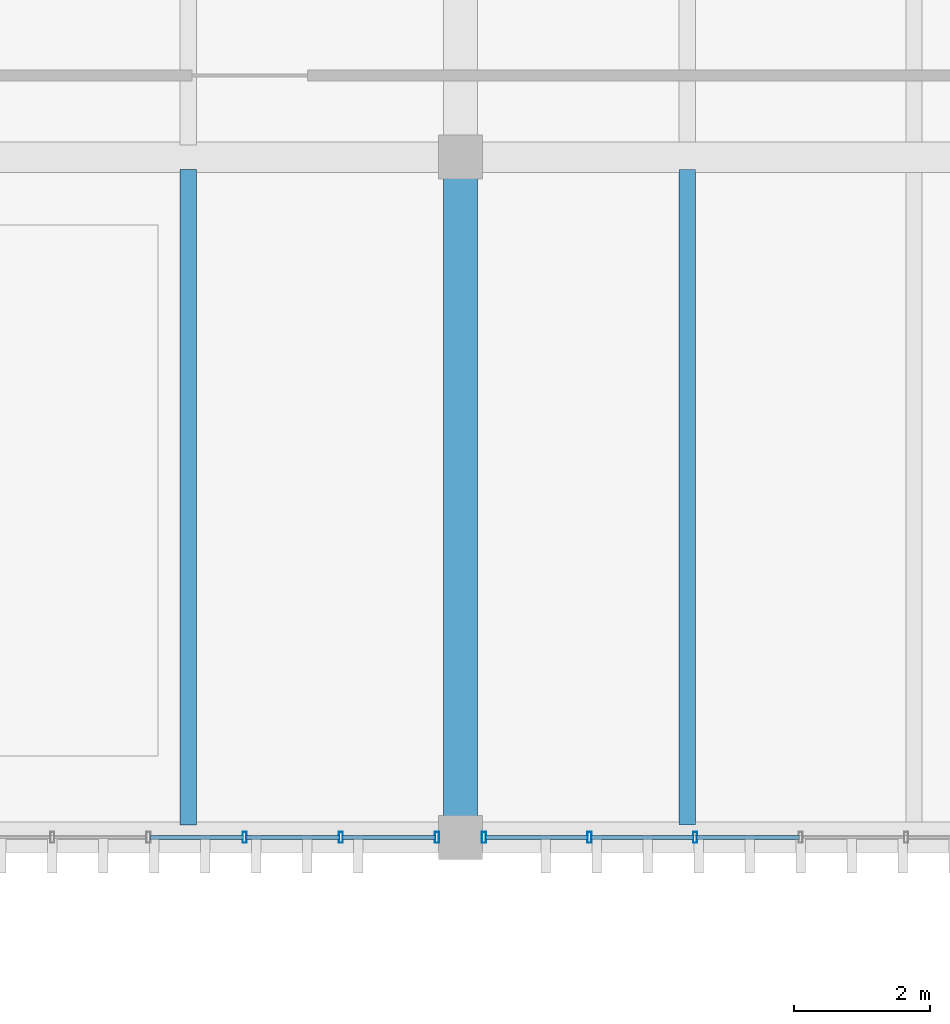
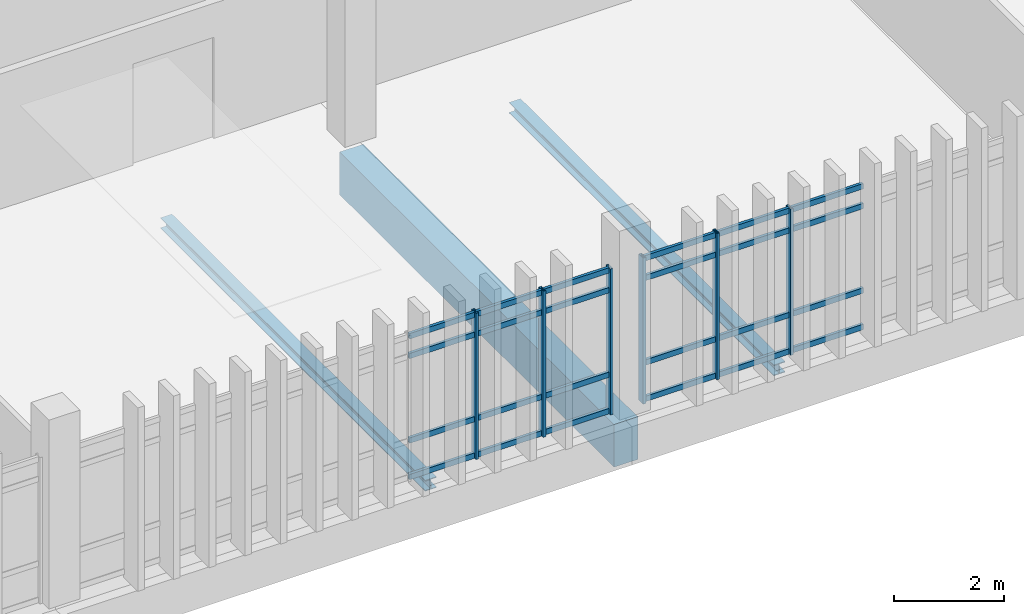
# One storey, part 21 of 82: 30 members, 3 beams, 2 elements without a shape of their own.
"""IFC4 building model written with IfcOpenShell, lengths in metres."""

import ifcopenshell
import ifcopenshell.guid

model = None  # the IFC model being written
_history = None  # IfcOwnerHistory: only IFC2X3 demands one
_inside = {}  # id of a spatial element -> (the spatial element, [elements in it])
_under = {}  # id of a project, library or spatial element -> (it, [spatial elements below it])
_declared = {}  # id of a project -> (the project, [libraries it declares])
_typed = {}  # id of a type object -> (the type object, [elements of that type])
_made_of = {}  # id of a material, layer set ... -> (it, [elements and type objects made of it])


def new_model(schema):
    """Start an empty IFC model of exactly this schema.

    Asked for "IFC4X3", IfcOpenShell would pick the latest addendum, in which some entities
    have other attributes; the version numbers below select the first issue.
    IFC2X3 requires an IfcOwnerHistory on every rooted entity: one is made here for all.
    """
    global model, _history
    if schema == "IFC4X3":
        model = ifcopenshell.file(schema_version=(4, 3, 0, 0))
    else:
        model = ifcopenshell.file(schema=schema)
    _inside.clear()
    _under.clear()
    _declared.clear()
    _typed.clear()
    _made_of.clear()
    _history = None
    if model.schema == "IFC2X3":
        org = make("IfcOrganization", Name="unknown")
        user = make(
            "IfcPersonAndOrganization",
            ThePerson=make("IfcPerson", FamilyName="unknown"),
            TheOrganization=org,
        )
        app = make(
            "IfcApplication",
            ApplicationDeveloper=org,
            Version="unknown",
            ApplicationFullName="unknown",
            ApplicationIdentifier="unknown",
        )
        _history = make(
            "IfcOwnerHistory",
            OwningUser=user,
            OwningApplication=app,
            ChangeAction="ADDED",
            CreationDate=0,
        )
    return model


def make(cls, **values):
    """One entity of the class cls with the attributes given. An attribute that is None is left unset."""
    return model.create_entity(
        cls, **{name: value for name, value in values.items() if value is not None}
    )


def rooted(cls, **values):
    """An entity with a GlobalId (a new one), such as an element, a storey or a relation."""
    return make(cls, GlobalId=ifcopenshell.guid.new(), OwnerHistory=_history, **values)


def si_unit(unit_type, name, prefix=None):
    """IfcSIUnit, for example si_unit("LENGTHUNIT", "METRE", prefix="MILLI")."""
    return make("IfcSIUnit", UnitType=unit_type, Prefix=prefix, Name=name)


def assignment(units):
    """IfcUnitAssignment: the units of a project."""
    return None if units is None else make("IfcUnitAssignment", Units=units)


def point(xyz):
    """IfcCartesianPoint."""
    return None if xyz is None else make("IfcCartesianPoint", Coordinates=xyz)


def direction(xyz):
    """IfcDirection."""
    return None if xyz is None else make("IfcDirection", DirectionRatios=xyz)


def frame(location, z_axis=None, x_axis=None):
    """IfcAxis2Placement3D, a coordinate frame: its origin and axes. An axis left out is left unset."""
    return make(
        "IfcAxis2Placement3D",
        Location=point(location),
        Axis=direction(z_axis),
        RefDirection=direction(x_axis),
    )


def frame_2d(location, x_axis=None):
    """IfcAxis2Placement2D, a coordinate frame in the plane: its origin and x axis."""
    return make(
        "IfcAxis2Placement2D", Location=point(location), RefDirection=direction(x_axis)
    )


def origin():
    """The frame at (0, 0, 0) with its axes left unset."""
    return frame((0.0, 0.0, 0.0))


def origin_2d():
    """The frame at (0, 0) in the plane with its x axis left unset."""
    return frame_2d((0.0, 0.0))


def place(relative_to, where):
    """IfcLocalPlacement: puts the frame where relative to a parent placement (None: the world)."""
    return make(
        "IfcLocalPlacement", PlacementRelTo=relative_to, RelativePlacement=where
    )


def context(
    kind, dimensions, precision=None, world=None, true_north=None, identifier=None
):
    """IfcGeometricRepresentationContext, for example the 3D "Model" context."""
    return make(
        "IfcGeometricRepresentationContext",
        ContextIdentifier=identifier,
        ContextType=kind,
        CoordinateSpaceDimension=dimensions,
        Precision=precision,
        WorldCoordinateSystem=world,
        TrueNorth=true_north,
    )


def subcontext(parent, identifier, kind, view, scale=None):
    """IfcGeometricRepresentationSubContext, for example "Body" below "Model"."""
    return make(
        "IfcGeometricRepresentationSubContext",
        ContextIdentifier=identifier,
        ContextType=kind,
        ParentContext=parent,
        TargetScale=scale,
        TargetView=view,
    )


def project(units=None, contexts=None):
    """IfcProject with its units and contexts."""
    return rooted(
        "IfcProject",
        Name="project",
        RepresentationContexts=contexts,
        UnitsInContext=assignment(units),
    )


def spatial(cls, under=None, at=None, **own):
    """A site, building, storey or space (cls), placed at a placement, below another one or the project."""
    s = rooted(cls, ObjectPlacement=at, **own)
    if under is not None:
        _under.setdefault(under.id(), (under, []))[1].append(s)
    return s


def profile(cls, at=None, kind="AREA", **sizes):
    """A parametric profile (cls). Its sizes go by their IFC names, for example OverallWidth=200.0."""
    return make(cls, ProfileType=kind, Position=at, **sizes)


def rectangle(**sizes):
    """IfcRectangleProfileDef."""
    return profile("IfcRectangleProfileDef", **sizes)


def hollow_rectangle(**sizes):
    """IfcRectangleHollowProfileDef."""
    return profile("IfcRectangleHollowProfileDef", **sizes)


def i_section(**sizes):
    """IfcIShapeProfileDef."""
    return profile("IfcIShapeProfileDef", **sizes)


def extrude(swept, where, along, depth):
    """IfcExtrudedAreaSolid: the profile swept, set in the frame where, extruded along a direction by depth."""
    return make(
        "IfcExtrudedAreaSolid",
        SweptArea=swept,
        Position=where,
        ExtrudedDirection=direction(along),
        Depth=depth,
    )


def shape(context_of_items, identifier, shape_type, items):
    """IfcShapeRepresentation: the items that make up one representation, for example the "Body"."""
    return make(
        "IfcShapeRepresentation",
        ContextOfItems=context_of_items,
        RepresentationIdentifier=identifier,
        RepresentationType=shape_type,
        Items=items,
    )


def material(Name=None, Category=None):
    """IfcMaterial."""
    return make("IfcMaterial", Name=Name, Category=Category)


def layer(
    of_material, thickness, ventilated=None, Name=None, Category=None, Priority=None
):
    """IfcMaterialLayer: one layer of a wall or slab, of a material (None: an air gap)."""
    return make(
        "IfcMaterialLayer",
        Material=of_material,
        LayerThickness=thickness,
        IsVentilated=ventilated,
        Name=Name,
        Category=Category,
        Priority=Priority,
    )


def layer_set(layers, Name=None):
    """IfcMaterialLayerSet."""
    return make("IfcMaterialLayerSet", MaterialLayers=layers, LayerSetName=Name)


def material_profile(
    of_material, cross_section, Name=None, Category=None, Priority=None
):
    """IfcMaterialProfile: a cross section and its material."""
    return make(
        "IfcMaterialProfile",
        Name=Name,
        Material=of_material,
        Profile=cross_section,
        Priority=Priority,
        Category=Category,
    )


def profile_set(profiles, Name=None, composite=None):
    """IfcMaterialProfileSet."""
    return make(
        "IfcMaterialProfileSet",
        Name=Name,
        MaterialProfiles=profiles,
        CompositeProfile=composite,
    )


def made_of(thing, what):
    """Note that an element or type object is made of a material, layer set ...; save() writes the relation."""
    if what is not None:
        _made_of.setdefault(what.id(), (what, []))[1].append(thing)
    return thing


def type_object(cls, material=None, **own):
    """A type object (cls), such as IfcWallType, which elements share."""
    return made_of(rooted(cls, **own), material)


def element(
    cls,
    number,
    at=None,
    inside=None,
    cuts=None,
    type_object=None,
    material=None,
    context=None,
    identifier="Body",
    shape_type=None,
    held_by="IfcProductDefinitionShape",
    body=None,
    shapes=None,
    **own,
):
    """One element of the class cls, such as IfcWall. Its Tag is "e" and its number.

    at: its placement. inside: the storey or other place that contains it. cuts: it is an
    opening in that element (IfcRelVoidsElement). A single representation is given by context,
    identifier, shape_type and body (its items); several are given by shapes. held_by: the class
    of the entity that holds the representations. save() writes the other relations.
    """
    e = rooted(cls, Tag="e%d" % number, ObjectPlacement=at, **own)
    if body is not None:
        shapes = [shape(context, identifier, shape_type, body)]
    if shapes is not None:
        e.Representation = make(held_by, Representations=shapes)
    if inside is not None:
        _inside.setdefault(inside.id(), (inside, []))[1].append(e)
    if cuts is not None:
        rooted(
            "IfcRelVoidsElement", RelatingBuildingElement=cuts, RelatedOpeningElement=e
        )
    if type_object is not None:
        _typed.setdefault(type_object.id(), (type_object, []))[1].append(e)
    return made_of(e, material)


def aggregate(whole, parts):
    """IfcRelAggregates: a whole, such as a stair, and the parts it consists of."""
    return rooted("IfcRelAggregates", RelatingObject=whole, RelatedObjects=parts)


def save(model, path):
    """Write the relations noted so far, then the file.

    IfcRelAggregates (storeys below a building ...), IfcRelContainedInSpatialStructure (elements
    in a storey), IfcRelDefinesByType, IfcRelAssociatesMaterial and IfcRelDeclares: one each for
    every whole, place, type object, material and project.
    """
    for whole, parts in _under.values():
        aggregate(whole, parts)
    for where, things in _inside.values():
        rooted(
            "IfcRelContainedInSpatialStructure",
            RelatedElements=things,
            RelatingStructure=where,
        )
    for kind, things in _typed.values():
        rooted("IfcRelDefinesByType", RelatedObjects=things, RelatingType=kind)
    for what, things in _made_of.values():
        rooted("IfcRelAssociatesMaterial", RelatedObjects=things, RelatingMaterial=what)
    for by, libraries in _declared.values():
        rooted("IfcRelDeclares", RelatingContext=by, RelatedDefinitions=libraries)
    model.write(path)


model = new_model("IFC4")

# Units and contexts
model_context = context("Model", 3, precision=1e-05, world=origin(), true_north=direction((0.0, 1.0)))
body_context = subcontext(model_context, "Body", "Model", "MODEL_VIEW")
ifc_project = project(units=[si_unit("LENGTHUNIT", "METRE"), si_unit("AREAUNIT", "SQUARE_METRE"), si_unit("VOLUMEUNIT", "CUBIC_METRE"), si_unit("PLANEANGLEUNIT", "RADIAN"), si_unit("MASSUNIT", "GRAM", prefix="KILO")], contexts=[model_context])

# Site, building, storey
site_placement = place(None, origin())
site = spatial("IfcSite", under=ifc_project, at=site_placement, CompositionType="ELEMENT")
building_placement = place(site_placement, origin())
building = spatial("IfcBuilding", under=site, at=building_placement, Name="Mersad Railyard Sports Hall", CompositionType="ELEMENT")
storey_placement = place(building_placement, frame((0.0, 0.0, 13.199951171875)))
storey = spatial("IfcBuildingStorey", under=building, at=storey_placement, Name="L03", CompositionType="ELEMENT", Elevation=13.199951171875)

# Curtain wall, members
ifc_material_1 = material(Name="Aluminium 6063-T6", Category="aluminium")
ifc_layer_1 = layer(ifc_material_1, 0.159912109375)
ifc_layer_set_1 = layer_set([ifc_layer_1], Name="Aluminium 6063-T6")
curtain_wall_type_1 = type_object("IfcCurtainWallType", Name="ARC-CW-CW59", PredefinedType="USERDEFINED", material=ifc_layer_set_1)
curtain_wall_1_placement = place(storey_placement, origin())
curtain_wall_1 = element("IfcCurtainWall", 1, at=curtain_wall_1_placement, inside=storey, type_object=curtain_wall_type_1, Name="Curtain wall CW59-0157", ObjectType="CURTAIN WALL", PredefinedType="USERDEFINED")
ifc_material_profile_1 = material_profile(ifc_material_1, hollow_rectangle(XDim=0.06005859375, YDim=0.159912109375, WallThickness=0.00390625, at=origin_2d()), Name="AL MULLION 60x160x4")
ifc_profile_set_1 = profile_set([ifc_material_profile_1], Name="Aluminium 6063-T6")
member_type_1 = type_object("IfcMemberType", Name="ARC-CW-MUL01", PredefinedType="MULLION", material=ifc_profile_set_1)
member_1_placement = place(storey_placement, frame((90.655029296875, 85.0, -0.02001953125), z_axis=(0.0, 0.0, 1.0), x_axis=(1.0, 0.0, 0.0)))
member_1 = element("IfcMember", 2, at=member_1_placement, type_object=member_type_1, Name="CW59 Mullion 1", PredefinedType="MULLION", context=body_context, shape_type="SweptSolid", body=[
    extrude(hollow_rectangle(XDim=0.06005859375, YDim=0.159912109375, WallThickness=0.00390625, at=origin_2d()), origin(), (0.0, 0.0, 1.0), 3.25),
])
member_2_placement = place(storey_placement, frame((89.2412109375, 85.0, -0.02001953125), z_axis=(0.0, 0.0, 1.0), x_axis=(1.0, 0.0, 0.0)))
member_2 = element("IfcMember", 3, at=member_2_placement, type_object=member_type_1, Name="CW59 Mullion 2", PredefinedType="MULLION", context=body_context, shape_type="SweptSolid", body=[
    extrude(hollow_rectangle(XDim=0.06005859375, YDim=0.159912109375, WallThickness=0.00390625, at=origin_2d()), origin(), (0.0, 0.0, 1.0), 3.25),
])
member_3_placement = place(storey_placement, frame((87.827392578125, 85.0, -0.02001953125), z_axis=(0.0, 0.0, 1.0), x_axis=(1.0, 0.0, 0.0)))
member_3 = element("IfcMember", 4, at=member_3_placement, type_object=member_type_1, Name="CW59 Mullion 3", PredefinedType="MULLION", context=body_context, shape_type="SweptSolid", body=[
    extrude(hollow_rectangle(XDim=0.06005859375, YDim=0.159912109375, WallThickness=0.00390625, at=origin_2d()), origin(), (0.0, 0.0, 1.0), 3.25),
])

ifc_layer_2 = layer(ifc_material_1, 0.159912109375)
ifc_layer_set_2 = layer_set([ifc_layer_2], Name="Aluminium 6063-T6")
curtain_wall_type_2 = type_object("IfcCurtainWallType", Name="ARC-CW-CW60", PredefinedType="USERDEFINED", material=ifc_layer_set_2)
curtain_wall_2_placement = place(storey_placement, origin())
curtain_wall_2 = element("IfcCurtainWall", 5, at=curtain_wall_2_placement, inside=storey, type_object=curtain_wall_type_2, Name="Curtain wall CW60-0158", ObjectType="CURTAIN WALL", PredefinedType="USERDEFINED")
member_4_placement = place(storey_placement, frame((94.4482421875, 85.0, -0.02001953125), z_axis=(0.0, 0.0, 1.0), x_axis=(1.0, 0.0, 0.0)))
member_4 = element("IfcMember", 6, at=member_4_placement, type_object=member_type_1, Name="CW60 Mullion 5", PredefinedType="MULLION", context=body_context, shape_type="SweptSolid", body=[
    extrude(hollow_rectangle(XDim=0.06005859375, YDim=0.159912109375, WallThickness=0.00390625, at=origin_2d()), origin(), (0.0, 0.0, 1.0), 3.25),
])
member_5_placement = place(storey_placement, frame((92.896728515625, 85.0, -0.02001953125), z_axis=(0.0, 0.0, 1.0), x_axis=(1.0, 0.0, 0.0)))
member_5 = element("IfcMember", 7, at=member_5_placement, type_object=member_type_1, Name="CW60 Mullion 6", PredefinedType="MULLION", context=body_context, shape_type="SweptSolid", body=[
    extrude(hollow_rectangle(XDim=0.06005859375, YDim=0.159912109375, WallThickness=0.00390625, at=origin_2d()), origin(), (0.0, 0.0, 1.0), 3.25),
])
member_6_placement = place(storey_placement, frame((91.344970703125, 85.0, -0.02001953125), z_axis=(0.0, 0.0, 1.0), x_axis=(1.0, 0.0, 0.0)))
member_6 = element("IfcMember", 8, at=member_6_placement, type_object=member_type_1, Name="CW60 Mullion 7", PredefinedType="MULLION", context=body_context, shape_type="SweptSolid", body=[
    extrude(hollow_rectangle(XDim=0.06005859375, YDim=0.159912109375, WallThickness=0.00390625, at=origin_2d()), origin(), (0.0, 0.0, 1.0), 3.25),
])

# Member
ifc_material_profile_2 = material_profile(ifc_material_1, hollow_rectangle(XDim=0.06005859375, YDim=0.1201171875, WallThickness=0.00390625, at=origin_2d()), Name="AL TRANSOM 60x120x4")
ifc_profile_set_2 = profile_set([ifc_material_profile_2], Name="Aluminium 6063-T6")
member_type_2 = type_object("IfcMemberType", Name="ARC-CW-TRN01", PredefinedType="USERDEFINED", material=ifc_profile_set_2)
member_7_placement = place(storey_placement, frame((90.635009765625, 85.0, 0.0400390625), z_axis=(-1.0, 0.0, 0.0), x_axis=(0.0, -1.0, 0.0)))
member_7 = element("IfcMember", 9, at=member_7_placement, type_object=member_type_2, Name="CW59 Transom 1-1", ObjectType="TRANSOM", PredefinedType="USERDEFINED", context=body_context, shape_type="SweptSolid", body=[
    extrude(hollow_rectangle(XDim=0.06005859375, YDim=0.1201171875, WallThickness=0.00390625, at=origin_2d()), origin(), (0.0, 0.0, 1.0), 1.373779296875),
])

member_8_placement = place(storey_placement, frame((89.22119140625, 85.0, 0.0400390625), z_axis=(-1.0, 0.0, 0.0), x_axis=(0.0, -1.0, 0.0)))
member_8 = element("IfcMember", 10, at=member_8_placement, type_object=member_type_2, Name="CW59 Transom 1-2", ObjectType="TRANSOM", PredefinedType="USERDEFINED", context=body_context, shape_type="SweptSolid", body=[
    extrude(hollow_rectangle(XDim=0.06005859375, YDim=0.1201171875, WallThickness=0.00390625, at=origin_2d()), origin(), (0.0, 0.0, 1.0), 1.373779296875),
])

member_9_placement = place(storey_placement, frame((87.8076171875, 85.0, 0.0400390625), z_axis=(-1.0, 0.0, 0.0), x_axis=(0.0, -1.0, 0.0)))
member_9 = element("IfcMember", 11, at=member_9_placement, type_object=member_type_2, Name="CW59 Transom 1-3", ObjectType="TRANSOM", PredefinedType="USERDEFINED", context=body_context, shape_type="SweptSolid", body=[
    extrude(hollow_rectangle(XDim=0.06005859375, YDim=0.1201171875, WallThickness=0.00390625, at=origin_2d()), origin(), (0.0, 0.0, 1.0), 1.373779296875),
])

member_10_placement = place(storey_placement, frame((90.635009765625, 85.0, 0.85009765625), z_axis=(-1.0, 0.0, 0.0), x_axis=(0.0, -1.0, 0.0)))
member_10 = element("IfcMember", 12, at=member_10_placement, type_object=member_type_2, Name="CW59 Transom 2-1", ObjectType="TRANSOM", PredefinedType="USERDEFINED", context=body_context, shape_type="SweptSolid", body=[
    extrude(hollow_rectangle(XDim=0.06005859375, YDim=0.1201171875, WallThickness=0.00390625, at=origin_2d()), origin(), (0.0, 0.0, 1.0), 1.373779296875),
])

member_11_placement = place(storey_placement, frame((89.22119140625, 85.0, 0.85009765625), z_axis=(-1.0, 0.0, 0.0), x_axis=(0.0, -1.0, 0.0)))
member_11 = element("IfcMember", 13, at=member_11_placement, type_object=member_type_2, Name="CW59 Transom 2-2", ObjectType="TRANSOM", PredefinedType="USERDEFINED", context=body_context, shape_type="SweptSolid", body=[
    extrude(hollow_rectangle(XDim=0.06005859375, YDim=0.1201171875, WallThickness=0.00390625, at=origin_2d()), origin(), (0.0, 0.0, 1.0), 1.373779296875),
])

member_12_placement = place(storey_placement, frame((87.8076171875, 85.0, 0.85009765625), z_axis=(-1.0, 0.0, 0.0), x_axis=(0.0, -1.0, 0.0)))
member_12 = element("IfcMember", 14, at=member_12_placement, type_object=member_type_2, Name="CW59 Transom 2-3", ObjectType="TRANSOM", PredefinedType="USERDEFINED", context=body_context, shape_type="SweptSolid", body=[
    extrude(hollow_rectangle(XDim=0.06005859375, YDim=0.1201171875, WallThickness=0.00390625, at=origin_2d()), origin(), (0.0, 0.0, 1.0), 1.373779296875),
])

member_13_placement = place(storey_placement, frame((90.635009765625, 85.0, 2.72998046875), z_axis=(-1.0, 0.0, 0.0), x_axis=(0.0, -1.0, 0.0)))
member_13 = element("IfcMember", 15, at=member_13_placement, type_object=member_type_2, Name="CW59 Transom 3-1", ObjectType="TRANSOM", PredefinedType="USERDEFINED", context=body_context, shape_type="SweptSolid", body=[
    extrude(hollow_rectangle(XDim=0.06005859375, YDim=0.1201171875, WallThickness=0.00390625, at=origin_2d()), origin(), (0.0, 0.0, 1.0), 1.373779296875),
])

member_14_placement = place(storey_placement, frame((89.22119140625, 85.0, 2.72998046875), z_axis=(-1.0, 0.0, 0.0), x_axis=(0.0, -1.0, 0.0)))
member_14 = element("IfcMember", 16, at=member_14_placement, type_object=member_type_2, Name="CW59 Transom 3-2", ObjectType="TRANSOM", PredefinedType="USERDEFINED", context=body_context, shape_type="SweptSolid", body=[
    extrude(hollow_rectangle(XDim=0.06005859375, YDim=0.1201171875, WallThickness=0.00390625, at=origin_2d()), origin(), (0.0, 0.0, 1.0), 1.373779296875),
])

member_15_placement = place(storey_placement, frame((87.8076171875, 85.0, 2.72998046875), z_axis=(-1.0, 0.0, 0.0), x_axis=(0.0, -1.0, 0.0)))
member_15 = element("IfcMember", 17, at=member_15_placement, type_object=member_type_2, Name="CW59 Transom 3-3", ObjectType="TRANSOM", PredefinedType="USERDEFINED", context=body_context, shape_type="SweptSolid", body=[
    extrude(hollow_rectangle(XDim=0.06005859375, YDim=0.1201171875, WallThickness=0.00390625, at=origin_2d()), origin(), (0.0, 0.0, 1.0), 1.373779296875),
])

member_16_placement = place(storey_placement, frame((90.635009765625, 85.0, 3.170166015625), z_axis=(-1.0, 0.0, 0.0), x_axis=(0.0, -1.0, 0.0)))
member_16 = element("IfcMember", 18, at=member_16_placement, type_object=member_type_2, Name="CW59 Transom 4-1", ObjectType="TRANSOM", PredefinedType="USERDEFINED", context=body_context, shape_type="SweptSolid", body=[
    extrude(hollow_rectangle(XDim=0.06005859375, YDim=0.1201171875, WallThickness=0.00390625, at=origin_2d()), origin(), (0.0, 0.0, 1.0), 1.373779296875),
])

member_17_placement = place(storey_placement, frame((89.22119140625, 85.0, 3.170166015625), z_axis=(-1.0, 0.0, 0.0), x_axis=(0.0, -1.0, 0.0)))
member_17 = element("IfcMember", 19, at=member_17_placement, type_object=member_type_2, Name="CW59 Transom 4-2", ObjectType="TRANSOM", PredefinedType="USERDEFINED", context=body_context, shape_type="SweptSolid", body=[
    extrude(hollow_rectangle(XDim=0.06005859375, YDim=0.1201171875, WallThickness=0.00390625, at=origin_2d()), origin(), (0.0, 0.0, 1.0), 1.373779296875),
])

member_18_placement = place(storey_placement, frame((87.8076171875, 85.0, 3.170166015625), z_axis=(-1.0, 0.0, 0.0), x_axis=(0.0, -1.0, 0.0)))
member_18 = element("IfcMember", 20, at=member_18_placement, type_object=member_type_2, Name="CW59 Transom 4-3", ObjectType="TRANSOM", PredefinedType="USERDEFINED", context=body_context, shape_type="SweptSolid", body=[
    extrude(hollow_rectangle(XDim=0.06005859375, YDim=0.1201171875, WallThickness=0.00390625, at=origin_2d()), origin(), (0.0, 0.0, 1.0), 1.373779296875),
])

aggregate(curtain_wall_1, [member_1, member_2, member_3, member_7, member_8, member_9, member_10, member_11, member_12, member_13, member_14, member_15, member_16, member_17, member_18])

member_19_placement = place(storey_placement, frame((95.97998046875, 85.0, 0.0400390625), z_axis=(-1.0, 0.0, 0.0), x_axis=(0.0, -1.0, 0.0)))
member_19 = element("IfcMember", 21, at=member_19_placement, type_object=member_type_2, Name="CW60 Transom 1-4", ObjectType="TRANSOM", PredefinedType="USERDEFINED", context=body_context, shape_type="SweptSolid", body=[
    extrude(hollow_rectangle(XDim=0.06005859375, YDim=0.1201171875, WallThickness=0.00390625, at=origin_2d()), origin(), (0.0, 0.0, 1.0), 1.51171875),
])

member_20_placement = place(storey_placement, frame((94.42822265625, 85.0, 0.0400390625), z_axis=(-1.0, 0.0, 0.0), x_axis=(0.0, -1.0, 0.0)))
member_20 = element("IfcMember", 22, at=member_20_placement, type_object=member_type_2, Name="CW60 Transom 1-5", ObjectType="TRANSOM", PredefinedType="USERDEFINED", context=body_context, shape_type="SweptSolid", body=[
    extrude(hollow_rectangle(XDim=0.06005859375, YDim=0.1201171875, WallThickness=0.00390625, at=origin_2d()), origin(), (0.0, 0.0, 1.0), 1.511474609375),
])

member_21_placement = place(storey_placement, frame((92.876708984375, 85.0, 0.0400390625), z_axis=(-1.0, 0.0, 0.0), x_axis=(0.0, -1.0, 0.0)))
member_21 = element("IfcMember", 23, at=member_21_placement, type_object=member_type_2, Name="CW60 Transom 1-6", ObjectType="TRANSOM", PredefinedType="USERDEFINED", context=body_context, shape_type="SweptSolid", body=[
    extrude(hollow_rectangle(XDim=0.06005859375, YDim=0.1201171875, WallThickness=0.00390625, at=origin_2d()), origin(), (0.0, 0.0, 1.0), 1.51171875),
])

member_22_placement = place(storey_placement, frame((95.97998046875, 85.0, 0.85009765625), z_axis=(-1.0, 0.0, 0.0), x_axis=(0.0, -1.0, 0.0)))
member_22 = element("IfcMember", 24, at=member_22_placement, type_object=member_type_2, Name="CW60 Transom 2-4", ObjectType="TRANSOM", PredefinedType="USERDEFINED", context=body_context, shape_type="SweptSolid", body=[
    extrude(hollow_rectangle(XDim=0.06005859375, YDim=0.1201171875, WallThickness=0.00390625, at=origin_2d()), origin(), (0.0, 0.0, 1.0), 1.51171875),
])

member_23_placement = place(storey_placement, frame((94.42822265625, 85.0, 0.85009765625), z_axis=(-1.0, 0.0, 0.0), x_axis=(0.0, -1.0, 0.0)))
member_23 = element("IfcMember", 25, at=member_23_placement, type_object=member_type_2, Name="CW60 Transom 2-5", ObjectType="TRANSOM", PredefinedType="USERDEFINED", context=body_context, shape_type="SweptSolid", body=[
    extrude(hollow_rectangle(XDim=0.06005859375, YDim=0.1201171875, WallThickness=0.00390625, at=origin_2d()), origin(), (0.0, 0.0, 1.0), 1.511474609375),
])

member_24_placement = place(storey_placement, frame((92.876708984375, 85.0, 0.85009765625), z_axis=(-1.0, 0.0, 0.0), x_axis=(0.0, -1.0, 0.0)))
member_24 = element("IfcMember", 26, at=member_24_placement, type_object=member_type_2, Name="CW60 Transom 2-6", ObjectType="TRANSOM", PredefinedType="USERDEFINED", context=body_context, shape_type="SweptSolid", body=[
    extrude(hollow_rectangle(XDim=0.06005859375, YDim=0.1201171875, WallThickness=0.00390625, at=origin_2d()), origin(), (0.0, 0.0, 1.0), 1.51171875),
])

member_25_placement = place(storey_placement, frame((95.97998046875, 85.0, 2.72998046875), z_axis=(-1.0, 0.0, 0.0), x_axis=(0.0, -1.0, 0.0)))
member_25 = element("IfcMember", 27, at=member_25_placement, type_object=member_type_2, Name="CW60 Transom 3-4", ObjectType="TRANSOM", PredefinedType="USERDEFINED", context=body_context, shape_type="SweptSolid", body=[
    extrude(hollow_rectangle(XDim=0.06005859375, YDim=0.1201171875, WallThickness=0.00390625, at=origin_2d()), origin(), (0.0, 0.0, 1.0), 1.51171875),
])

member_26_placement = place(storey_placement, frame((94.42822265625, 85.0, 2.72998046875), z_axis=(-1.0, 0.0, 0.0), x_axis=(0.0, -1.0, 0.0)))
member_26 = element("IfcMember", 28, at=member_26_placement, type_object=member_type_2, Name="CW60 Transom 3-5", ObjectType="TRANSOM", PredefinedType="USERDEFINED", context=body_context, shape_type="SweptSolid", body=[
    extrude(hollow_rectangle(XDim=0.06005859375, YDim=0.1201171875, WallThickness=0.00390625, at=origin_2d()), origin(), (0.0, 0.0, 1.0), 1.511474609375),
])

member_27_placement = place(storey_placement, frame((92.876708984375, 85.0, 2.72998046875), z_axis=(-1.0, 0.0, 0.0), x_axis=(0.0, -1.0, 0.0)))
member_27 = element("IfcMember", 29, at=member_27_placement, type_object=member_type_2, Name="CW60 Transom 3-6", ObjectType="TRANSOM", PredefinedType="USERDEFINED", context=body_context, shape_type="SweptSolid", body=[
    extrude(hollow_rectangle(XDim=0.06005859375, YDim=0.1201171875, WallThickness=0.00390625, at=origin_2d()), origin(), (0.0, 0.0, 1.0), 1.51171875),
])

member_28_placement = place(storey_placement, frame((95.97998046875, 85.0, 3.170166015625), z_axis=(-1.0, 0.0, 0.0), x_axis=(0.0, -1.0, 0.0)))
member_28 = element("IfcMember", 30, at=member_28_placement, type_object=member_type_2, Name="CW60 Transom 4-4", ObjectType="TRANSOM", PredefinedType="USERDEFINED", context=body_context, shape_type="SweptSolid", body=[
    extrude(hollow_rectangle(XDim=0.06005859375, YDim=0.1201171875, WallThickness=0.00390625, at=origin_2d()), origin(), (0.0, 0.0, 1.0), 1.51171875),
])

member_29_placement = place(storey_placement, frame((94.42822265625, 85.0, 3.170166015625), z_axis=(-1.0, 0.0, 0.0), x_axis=(0.0, -1.0, 0.0)))
member_29 = element("IfcMember", 31, at=member_29_placement, type_object=member_type_2, Name="CW60 Transom 4-5", ObjectType="TRANSOM", PredefinedType="USERDEFINED", context=body_context, shape_type="SweptSolid", body=[
    extrude(hollow_rectangle(XDim=0.06005859375, YDim=0.1201171875, WallThickness=0.00390625, at=origin_2d()), origin(), (0.0, 0.0, 1.0), 1.511474609375),
])

member_30_placement = place(storey_placement, frame((92.876708984375, 85.0, 3.170166015625), z_axis=(-1.0, 0.0, 0.0), x_axis=(0.0, -1.0, 0.0)))
member_30 = element("IfcMember", 32, at=member_30_placement, type_object=member_type_2, Name="CW60 Transom 4-6", ObjectType="TRANSOM", PredefinedType="USERDEFINED", context=body_context, shape_type="SweptSolid", body=[
    extrude(hollow_rectangle(XDim=0.06005859375, YDim=0.1201171875, WallThickness=0.00390625, at=origin_2d()), origin(), (0.0, 0.0, 1.0), 1.51171875),
])

aggregate(curtain_wall_2, [member_4, member_5, member_6, member_19, member_20, member_21, member_22, member_23, member_24, member_25, member_26, member_27, member_28, member_29, member_30])

# Beams
ifc_material_2 = material(Name="Concrete C50/60", Category="concrete")
ifc_material_profile_3 = material_profile(ifc_material_2, rectangle(XDim=0.5, YDim=0.949951171875, at=origin_2d()), Name="RC 500x950")
ifc_profile_set_3 = profile_set([ifc_material_profile_3], Name="Concrete C50/60")
beam_type_1 = type_object("IfcBeamType", Name="STR-BM-B03", PredefinedType="BEAM", material=ifc_profile_set_3)
beam_placement = place(storey_placement, frame((91.0, 85.0, -0.794921875), z_axis=(0.0, 1.0, 0.0), x_axis=(-1.0, 0.0, 0.0)))
element("IfcBeam", 33, at=beam_placement, inside=storey, type_object=beam_type_1, Name="Beam B03-1256", PredefinedType="BEAM", context=body_context, shape_type="SweptSolid", body=[
    extrude(rectangle(XDim=0.5, YDim=0.949951171875, at=origin_2d()), origin(), (0.0, 0.0, 1.0), 10.0),
])
ifc_material_3 = material(Name="Steel S355", Category="steel")
ifc_material_profile_4 = material_profile(ifc_material_3, i_section(OverallWidth=0.239990234375, OverallDepth=0.239990234375, WebThickness=0.010009765625, FlangeThickness=0.01708984375, at=origin_2d()), Name="HEB 240")
ifc_profile_set_4 = profile_set([ifc_material_profile_4], Name="Steel S355")
beam_type_2 = type_object("IfcBeamType", Name="STR-BM-SB04", PredefinedType="BEAM", material=ifc_profile_set_4)
for number, where, z_axis, x_axis, name in (
    (34, (87.0, 85.179931640625, -0.43994140625), (0.0, 1.0, 0.0), (-1.0, 0.0, 0.0), "Beam SB04-1289"),
    (35, (94.3330078125, 85.179931640625, -0.43994140625), (0.0, 1.0, 0.0), (-1.0, 0.0, 0.0), "Beam SB04-1294"),
):
    element("IfcBeam", number, at=place(storey_placement, frame(where, z_axis=z_axis, x_axis=x_axis)), inside=storey, type_object=beam_type_2, Name=name, PredefinedType="BEAM", context=body_context, shape_type="SweptSolid", body=[
        extrude(i_section(OverallWidth=0.239990234375, OverallDepth=0.239990234375, WebThickness=0.010009765625, FlangeThickness=0.01708984375, at=origin_2d()), origin(), (0.0, 0.0, 1.0), 9.64013671875),
    ])

save(model, "model.ifc")
